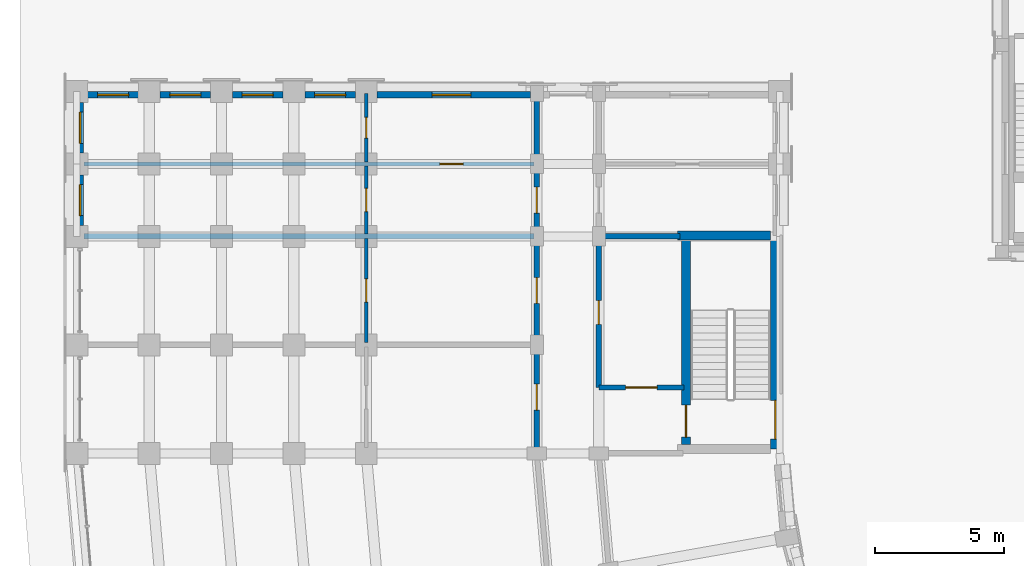
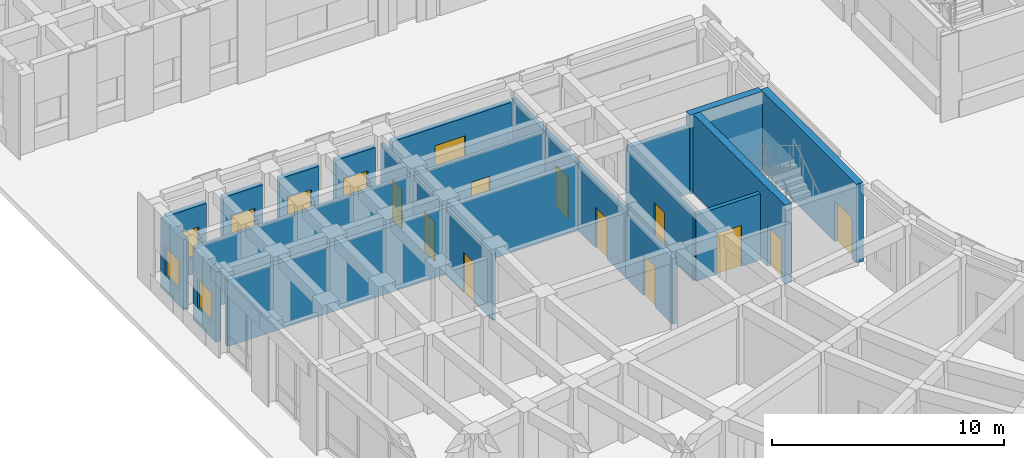
# One storey, part 92 of 135: 22 walls, 11 doors, 7 windows, 18 openings.
"""IFC4 building model written with IfcOpenShell, lengths in metres."""

from ifc_helpers import new_model, si_unit, direction, frame, frame_2d, origin, place, context, subcontext, project, spatial, rectangle, extrude, material, layer, layer_set, type_object, element, fill, save


model = new_model("IFC4")

# Units and contexts
model_context = context("Model", 3, precision=1e-05, world=origin(), true_north=direction((0.0, 1.0)))
body_context = subcontext(model_context, "Body", "Model", "MODEL_VIEW")
ifc_project = project(units=[si_unit("LENGTHUNIT", "METRE"), si_unit("AREAUNIT", "SQUARE_METRE"), si_unit("VOLUMEUNIT", "CUBIC_METRE"), si_unit("PLANEANGLEUNIT", "RADIAN"), si_unit("MASSUNIT", "GRAM", prefix="KILO")], contexts=[model_context])

# Site, building, storey
site_placement = place(None, origin())
site = spatial("IfcSite", under=ifc_project, at=site_placement, CompositionType="ELEMENT")
building_placement = place(site_placement, origin())
building = spatial("IfcBuilding", under=site, at=building_placement, Name="Kiranvali Square Residences", CompositionType="ELEMENT")
storey_placement = place(building_placement, origin())
storey = spatial("IfcBuildingStorey", under=building, at=storey_placement, Name="L00", CompositionType="ELEMENT", Elevation=0.0)

# Wall, opening, door
ifc_material_1 = material(Name="Autoclaved aerated concrete blockwork masonry", Category="masonry")
ifc_layer_1 = layer(ifc_material_1, 0.199951171875)
ifc_layer_set_1 = layer_set([ifc_layer_1], Name="Autoclaved aerated concrete blockwork masonry")
wall_type_1 = type_object("IfcWallType", Name="WL-COR-200", PredefinedType="STANDARD", material=ifc_layer_set_1)
wall_1_placement = place(storey_placement, frame((25.699951171875, 50.75, 0.0), z_axis=(0.0, 0.0, 1.0), x_axis=(-1.0, 0.0, 0.0)))
wall_1 = element("IfcWall", 1, at=wall_1_placement, inside=storey, type_object=wall_type_1, Name="L00 architectural wall WL-L00-C-S3-V", PredefinedType="STANDARD", context=body_context, shape_type="SweptSolid", body=[
    extrude(rectangle(XDim=3.300048828125, YDim=0.199951171875, at=frame_2d((1.64990234375, 0.0))), origin(), (0.0, 0.0, 1.0), 3.491943359375),
])
opening_1_placement = place(wall_1_placement, frame((1.0400390625, 0.0, 0.0)))
opening_1 = element("IfcOpeningElement", 2, at=opening_1_placement, cuts=wall_1, Name="Opening FD-COR-60", PredefinedType="OPENING", context=body_context, shape_type="SweptSolid", body=[
    extrude(rectangle(XDim=1.219970703125, YDim=2.14990234375, at=frame_2d((0.60986328125, 1.074951171875))), frame((0.0, 0.10986328125, 0.0), z_axis=(0.0, -1.0, 0.0), x_axis=(1.0, 0.0, 0.0)), (0.0, 0.0, 1.0), 0.219970703125),
])
ifc_material_2 = material(Name="Fire-rated acoustic hardwood and mineral-core door assembly", Category="wood")
door_type_1 = type_object("IfcDoorType", Name="DR-FD60-1200", OperationType="NOTDEFINED", PredefinedType="DOOR", material=ifc_material_2)
door_1_placement = place(opening_1_placement, origin())
door_1 = element("IfcDoor", 3, at=door_1_placement, inside=storey, type_object=door_type_1, Name="L00 door DR-L00-1745 (DR-FD60-1200)", OperationType="SINGLE_SWING_LEFT", OverallHeight=2.14990234375, OverallWidth=1.219970703125, PredefinedType="DOOR", context=body_context, shape_type="SweptSolid", body=[
    extrude(rectangle(XDim=1.219970703125, YDim=2.14990234375, at=frame_2d((0.60986328125, 1.074951171875))), frame((0.0, 0.02490234375, 0.0), z_axis=(0.0, -1.0, 0.0), x_axis=(1.0, 0.0, 0.0)), (0.0, 0.0, 1.0), 0.050048828125),
])
fill(opening_1, door_1)

wall_2_placement = place(storey_placement, frame((22.39990234375, 50.75, 0.0), z_axis=(0.0, 0.0, 1.0), x_axis=(0.0, 1.0, 0.0)))
wall_2 = element("IfcWall", 4, at=wall_2_placement, inside=storey, type_object=wall_type_1, Name="L00 architectural wall WL-L00-C-S3-COR", PredefinedType="STANDARD", context=body_context, shape_type="SweptSolid", body=[
    extrude(rectangle(XDim=5.800048828125, YDim=0.199951171875, at=frame_2d((2.89990234375, 0.0))), origin(), (0.0, 0.0, 1.0), 3.491943359375),
])
opening_2_placement = place(wall_2_placement, frame((2.43994140625, 0.0, 0.0)))
opening_2 = element("IfcOpeningElement", 5, at=opening_2_placement, cuts=wall_2, Name="Opening FD-SVC-120", PredefinedType="OPENING", context=body_context, shape_type="SweptSolid", body=[
    extrude(rectangle(XDim=0.919921875, YDim=2.10009765625, at=frame_2d((0.4599609375, 1.050048828125))), frame((0.0, 0.10986328125, 0.0), z_axis=(0.0, -1.0, 0.0), x_axis=(1.0, 0.0, 0.0)), (0.0, 0.0, 1.0), 0.219970703125),
])
door_type_2 = type_object("IfcDoorType", Name="DR-SVC-900", OperationType="NOTDEFINED", PredefinedType="DOOR", material=ifc_material_2)
door_2_placement = place(opening_2_placement, frame((0.919921875, 0.0, 0.0), z_axis=(0.0, 0.0, 1.0), x_axis=(-1.0, 0.0, 0.0)))
door_2 = element("IfcDoor", 6, at=door_2_placement, inside=storey, type_object=door_type_2, Name="L00 door DR-L00-1746 (DR-SVC-900)", OperationType="SINGLE_SWING_RIGHT", OverallHeight=2.10009765625, OverallWidth=0.919921875, PredefinedType="DOOR", context=body_context, shape_type="SweptSolid", body=[
    extrude(rectangle(XDim=0.919921875, YDim=2.10009765625, at=frame_2d((0.4599609375, 1.050048828125))), frame((0.0, 0.02490234375, 0.0), z_axis=(0.0, -1.0, 0.0), x_axis=(1.0, 0.0, 0.0)), (0.0, 0.0, 1.0), 0.050048828125),
])
fill(opening_2, door_2)

wall_3_placement = place(storey_placement, frame((20.0, 48.35009765625, 0.0), z_axis=(0.0, 0.0, 1.0), x_axis=(0.0, 1.0, 0.0)))
wall_3 = element("IfcWall", 7, at=wall_3_placement, inside=storey, type_object=wall_type_1, Name="L00 architectural wall WL-L00-C-A2CF-C0", PredefinedType="STANDARD", context=body_context, shape_type="SweptSolid", body=[
    extrude(rectangle(XDim=4.0498046875, YDim=0.199951171875, at=frame_2d((2.02490234375, 0.0))), origin(), (0.0, 0.0, 1.0), 3.491943359375),
])
opening_3_placement = place(wall_3_placement, frame((1.52490234375, 0.0, 0.0)))
opening_3 = element("IfcOpeningElement", 8, at=opening_3_placement, cuts=wall_3, Name="Opening FD-APT-60", PredefinedType="OPENING", context=body_context, shape_type="SweptSolid", body=[
    extrude(rectangle(XDim=1.0, YDim=2.14990234375, at=frame_2d((0.5, 1.074951171875))), frame((0.0, 0.10986328125, 0.0), z_axis=(0.0, -1.0, 0.0), x_axis=(1.0, 0.0, 0.0)), (0.0, 0.0, 1.0), 0.219970703125),
])
door_type_3 = type_object("IfcDoorType", Name="DR-APT-1000", OperationType="NOTDEFINED", PredefinedType="DOOR", material=ifc_material_2)
door_3_placement = place(opening_3_placement, origin())
door_3 = element("IfcDoor", 9, at=door_3_placement, inside=storey, type_object=door_type_3, Name="L00 door DR-L00-1777 (DR-APT-1000)", OperationType="SINGLE_SWING_LEFT", OverallHeight=2.14990234375, OverallWidth=1.0, PredefinedType="DOOR", context=body_context, shape_type="SweptSolid", body=[
    extrude(rectangle(XDim=1.0, YDim=2.14990234375, at=frame_2d((0.5, 1.074951171875))), frame((0.0, 0.02490234375, 0.0), z_axis=(0.0, -1.0, 0.0), x_axis=(1.0, 0.0, 0.0)), (0.0, 0.0, 1.0), 0.050048828125),
])
fill(opening_3, door_3)

wall_4_placement = place(storey_placement, frame((20.0, 52.39990234375, 0.0), z_axis=(0.0, 0.0, 1.0), x_axis=(0.0, 1.0, 0.0)))
wall_4 = element("IfcWall", 10, at=wall_4_placement, inside=storey, type_object=wall_type_1, Name="L00 architectural wall WL-L00-C-A2CF-C1", PredefinedType="STANDARD", context=body_context, shape_type="SweptSolid", body=[
    extrude(rectangle(XDim=4.2001953125, YDim=0.199951171875, at=frame_2d((2.10009765625, 0.0))), origin(), (0.0, 0.0, 1.0), 3.491943359375),
])
opening_4_placement = place(wall_4_placement, frame((1.60009765625, 0.0, 0.0)))
opening_4 = element("IfcOpeningElement", 11, at=opening_4_placement, cuts=wall_4, Name="Opening FD-APT-60", PredefinedType="OPENING", context=body_context, shape_type="SweptSolid", body=[
    extrude(rectangle(XDim=1.0, YDim=2.14990234375, at=frame_2d((0.5, 1.074951171875))), frame((0.0, 0.10986328125, 0.0), z_axis=(0.0, -1.0, 0.0), x_axis=(1.0, 0.0, 0.0)), (0.0, 0.0, 1.0), 0.219970703125),
])
door_4_placement = place(opening_4_placement, origin())
door_4 = element("IfcDoor", 12, at=door_4_placement, inside=storey, type_object=door_type_3, Name="L00 door DR-L00-1779 (DR-APT-1000)", OperationType="SINGLE_SWING_LEFT", OverallHeight=2.14990234375, OverallWidth=1.0, PredefinedType="DOOR", context=body_context, shape_type="SweptSolid", body=[
    extrude(rectangle(XDim=1.0, YDim=2.14990234375, at=frame_2d((0.5, 1.074951171875))), frame((0.0, 0.02490234375, 0.0), z_axis=(0.0, -1.0, 0.0), x_axis=(1.0, 0.0, 0.0)), (0.0, 0.0, 1.0), 0.050048828125),
])
fill(opening_4, door_4)

wall_5_placement = place(storey_placement, frame((20.0, 56.60009765625, 0.0), z_axis=(0.0, 0.0, 1.0), x_axis=(0.0, 1.0, 0.0)))
wall_5 = element("IfcWall", 13, at=wall_5_placement, inside=storey, type_object=wall_type_1, Name="L00 architectural wall WL-L00-C-A2CO-0", PredefinedType="STANDARD", context=body_context, shape_type="SweptSolid", body=[
    extrude(rectangle(XDim=2.7998046875, YDim=0.199951171875, at=frame_2d((1.39990234375, 0.0))), origin(), (0.0, 0.0, 1.0), 3.491943359375),
])
opening_5_placement = place(wall_5_placement, frame((0.89990234375, 0.0, 0.0)))
opening_5 = element("IfcOpeningElement", 14, at=opening_5_placement, cuts=wall_5, Name="Opening FD-APT-60", PredefinedType="OPENING", context=body_context, shape_type="SweptSolid", body=[
    extrude(rectangle(XDim=1.0, YDim=2.14990234375, at=frame_2d((0.5, 1.074951171875))), frame((0.0, 0.10986328125, 0.0), z_axis=(0.0, -1.0, 0.0), x_axis=(1.0, 0.0, 0.0)), (0.0, 0.0, 1.0), 0.219970703125),
])
door_5_placement = place(opening_5_placement, origin())
door_5 = element("IfcDoor", 15, at=door_5_placement, inside=storey, type_object=door_type_3, Name="L00 door DR-L00-1783 (DR-APT-1000)", OperationType="SINGLE_SWING_LEFT", OverallHeight=2.14990234375, OverallWidth=1.0, PredefinedType="DOOR", context=body_context, shape_type="SweptSolid", body=[
    extrude(rectangle(XDim=1.0, YDim=2.14990234375, at=frame_2d((0.5, 1.074951171875))), frame((0.0, 0.02490234375, 0.0), z_axis=(0.0, -1.0, 0.0), x_axis=(1.0, 0.0, 0.0)), (0.0, 0.0, 1.0), 0.050048828125),
])
fill(opening_5, door_5)

# Walls
wall_6_placement = place(storey_placement, frame((20.0, 59.39990234375, 0.0), z_axis=(0.0, 0.0, 1.0), x_axis=(0.0, 1.0, 0.0)))
element("IfcWall", 16, at=wall_6_placement, inside=storey, type_object=wall_type_1, Name="L00 architectural wall WL-L00-C-A2CO-1", PredefinedType="STANDARD", context=body_context, shape_type="SweptSolid", body=[
    extrude(rectangle(XDim=2.800048828125, YDim=0.199951171875, at=frame_2d((1.39990234375, 0.0))), origin(), (0.0, 0.0, 1.0), 3.491943359375),
])
ifc_layer_2 = layer(ifc_material_1, 0.219970703125)
ifc_layer_set_2 = layer_set([ifc_layer_2], Name="Autoclaved aerated concrete blockwork masonry")
wall_type_2 = type_object("IfcWallType", Name="WL-DEM-220", PredefinedType="STANDARD", material=ifc_layer_set_2)
wall_7_placement = place(storey_placement, frame((25.550048828125, 56.60009765625, 0.0), z_axis=(0.0, 0.0, 1.0), x_axis=(-1.0, 0.0, 0.0)))
element("IfcWall", 17, at=wall_7_placement, inside=storey, type_object=wall_type_2, Name="L00 architectural wall WL-L00-C-A2TI-0", PredefinedType="STANDARD", context=body_context, shape_type="SweptSolid", body=[
    extrude(rectangle(XDim=3.10009765625, YDim=0.219970703125, at=frame_2d((1.550048828125, 0.0))), origin(), (0.0, 0.0, 1.0), 3.491943359375),
])
wall_8_placement = place(storey_placement, frame((19.89990234375, 56.60009765625, 0.0), z_axis=(0.0, 0.0, 1.0), x_axis=(-1.0, 0.0, 0.0)))
element("IfcWall", 18, at=wall_8_placement, inside=storey, type_object=wall_type_2, Name="L00 architectural wall WL-L00-C-A2TO-0", PredefinedType="STANDARD", context=body_context, shape_type="SweptSolid", body=[
    extrude(rectangle(XDim=17.419921875, YDim=0.219970703125, at=frame_2d((8.7099609375, 0.0))), origin(), (0.0, 0.0, 1.0), 3.491943359375),
])

# Wall, opening, window
ifc_material_3 = material(Name="Breathable lime-rendered clay brick masonry", Category="masonry")
ifc_layer_3 = layer(ifc_material_3, 0.25)
ifc_layer_set_3 = layer_set([ifc_layer_3], Name="Breathable lime-rendered clay brick masonry")
wall_type_3 = type_object("IfcWallType", Name="WL-EXT-250", PredefinedType="STANDARD", material=ifc_layer_set_3)
wall_9_placement = place(storey_placement, frame((2.324951171875, 57.02001953125, 0.0), z_axis=(0.0, 0.0, 1.0), x_axis=(0.0, 1.0, 0.0)))
wall_9 = element("IfcWall", 19, at=wall_9_placement, inside=storey, type_object=wall_type_3, Name="L00 exterior wall C-L00-A2O-2", PredefinedType="STANDARD", context=body_context, shape_type="SweptSolid", body=[
    extrude(rectangle(XDim=1.9599609375, YDim=0.25, at=frame_2d((0.97998046875, 0.0))), origin(), (0.0, 0.0, 1.0), 3.69189453125),
])
opening_6_placement = place(wall_9_placement, frame((0.3798828125, 0.0, 0.8798828125)))
opening_6 = element("IfcOpeningElement", 20, at=opening_6_placement, cuts=wall_9, Name="Opening W-06", PredefinedType="OPENING", context=body_context, shape_type="SweptSolid", body=[
    extrude(rectangle(XDim=1.199951171875, YDim=1.5, at=frame_2d((0.60009765625, 0.75))), frame((0.0, 0.135009765625, 0.0), z_axis=(0.0, -1.0, 0.0), x_axis=(1.0, 0.0, 0.0)), (0.0, 0.0, 1.0), 0.27001953125),
])
ifc_material_4 = material(Name="Solar-control low-e double glazing", Category="glass")
window_type_1 = type_object("IfcWindowType", Name="WIN-RES-1200x1500", PartitioningType="SINGLE_PANEL", PredefinedType="WINDOW", material=ifc_material_4)
window_1_placement = place(opening_6_placement, origin())
window_1 = element("IfcWindow", 21, at=window_1_placement, inside=storey, type_object=window_type_1, Name="L00 recessed window C-L00-A2O-2", OverallHeight=1.5, OverallWidth=1.199951171875, PartitioningType="SINGLE_PANEL", PredefinedType="WINDOW", context=body_context, shape_type="SweptSolid", body=[
    extrude(rectangle(XDim=1.199951171875, YDim=1.5, at=frame_2d((0.60009765625, 0.75))), frame((0.0, 0.030029296875, 0.0), z_axis=(0.0, -1.0, 0.0), x_axis=(1.0, 0.0, 0.0)), (0.0, 0.0, 1.0), 0.06005859375),
])
fill(opening_6, window_1)

wall_10_placement = place(storey_placement, frame((2.324951171875, 59.820068359375, 0.0), z_axis=(0.0, 0.0, 1.0), x_axis=(0.0, 1.0, 0.0)))
wall_10 = element("IfcWall", 22, at=wall_10_placement, inside=storey, type_object=wall_type_3, Name="L00 exterior wall C-L00-A2O-3", PredefinedType="STANDARD", context=body_context, shape_type="SweptSolid", body=[
    extrude(rectangle(XDim=1.9599609375, YDim=0.25, at=frame_2d((0.97998046875, 0.0))), origin(), (0.0, 0.0, 1.0), 3.69189453125),
])
opening_7_placement = place(wall_10_placement, frame((0.3798828125, 0.0, 0.8798828125)))
opening_7 = element("IfcOpeningElement", 23, at=opening_7_placement, cuts=wall_10, Name="Opening W-06", PredefinedType="OPENING", context=body_context, shape_type="SweptSolid", body=[
    extrude(rectangle(XDim=1.199951171875, YDim=1.5, at=frame_2d((0.60009765625, 0.75))), frame((0.0, 0.135009765625, 0.0), z_axis=(0.0, -1.0, 0.0), x_axis=(1.0, 0.0, 0.0)), (0.0, 0.0, 1.0), 0.27001953125),
])
window_2_placement = place(opening_7_placement, origin())
window_2 = element("IfcWindow", 24, at=window_2_placement, inside=storey, type_object=window_type_1, Name="L00 recessed window C-L00-A2O-3", OverallHeight=1.5, OverallWidth=1.199951171875, PartitioningType="SINGLE_PANEL", PredefinedType="WINDOW", context=body_context, shape_type="SweptSolid", body=[
    extrude(rectangle(XDim=1.199951171875, YDim=1.5, at=frame_2d((0.60009765625, 0.75))), frame((0.0, 0.030029296875, 0.0), z_axis=(0.0, -1.0, 0.0), x_axis=(1.0, 0.0, 0.0)), (0.0, 0.0, 1.0), 0.06005859375),
])
fill(opening_7, window_2)

wall_11_placement = place(storey_placement, frame((19.74658203125, 62.074951171875, 0.0), z_axis=(0.0, 0.0, 1.0), x_axis=(-1.0, 0.0, 0.0)))
wall_11 = element("IfcWall", 25, at=wall_11_placement, inside=storey, type_object=wall_type_3, Name="L00 exterior wall C-L00-A2END-2", PredefinedType="STANDARD", context=body_context, shape_type="SweptSolid", body=[
    extrude(rectangle(XDim=5.926513671875, YDim=0.25, at=frame_2d((2.96337890625, 0.0))), origin(), (0.0, 0.0, 1.0), 3.491943359375),
])
opening_8_placement = place(wall_11_placement, frame((2.29638671875, 0.0, 0.8798828125)))
opening_8 = element("IfcOpeningElement", 26, at=opening_8_placement, cuts=wall_11, Name="Opening W-05", PredefinedType="OPENING", context=body_context, shape_type="SweptSolid", body=[
    extrude(rectangle(XDim=1.5, YDim=1.64990234375, at=frame_2d((0.75, 0.824951171875))), frame((0.0, 0.135009765625, 0.0), z_axis=(0.0, -1.0, 0.0), x_axis=(1.0, 0.0, 0.0)), (0.0, 0.0, 1.0), 0.27001953125),
])
window_type_2 = type_object("IfcWindowType", Name="WIN-RES-1500x1650", PartitioningType="DOUBLE_PANEL_VERTICAL", PredefinedType="WINDOW", material=ifc_material_4)
window_3_placement = place(opening_8_placement, origin())
window_3 = element("IfcWindow", 27, at=window_3_placement, inside=storey, type_object=window_type_2, Name="L00 recessed window C-L00-A2END-2", OverallHeight=1.64990234375, OverallWidth=1.5, PartitioningType="DOUBLE_PANEL_VERTICAL", PredefinedType="WINDOW", context=body_context, shape_type="SweptSolid", body=[
    extrude(rectangle(XDim=1.5, YDim=1.64990234375, at=frame_2d((0.75, 0.824951171875))), frame((0.0, 0.030029296875, 0.0), z_axis=(0.0, -1.0, 0.0), x_axis=(1.0, 0.0, 0.0)), (0.0, 0.0, 1.0), 0.06005859375),
])
fill(opening_8, window_3)

wall_12_placement = place(storey_placement, frame((12.97998046875, 62.074951171875, 0.0), z_axis=(0.0, 0.0, 1.0), x_axis=(-1.0, 0.0, 0.0)))
wall_12 = element("IfcWall", 28, at=wall_12_placement, inside=storey, type_object=wall_type_3, Name="L00 exterior wall C-L00-A2END-3", PredefinedType="STANDARD", context=body_context, shape_type="SweptSolid", body=[
    extrude(rectangle(XDim=1.9599609375, YDim=0.25, at=frame_2d((0.97998046875, 0.0))), origin(), (0.0, 0.0, 1.0), 3.491943359375),
])
opening_9_placement = place(wall_12_placement, frame((0.3798828125, 0.0, 0.8798828125)))
opening_9 = element("IfcOpeningElement", 29, at=opening_9_placement, cuts=wall_12, Name="Opening W-06", PredefinedType="OPENING", context=body_context, shape_type="SweptSolid", body=[
    extrude(rectangle(XDim=1.199951171875, YDim=1.5, at=frame_2d((0.60009765625, 0.75))), frame((0.0, 0.135009765625, 0.0), z_axis=(0.0, -1.0, 0.0), x_axis=(1.0, 0.0, 0.0)), (0.0, 0.0, 1.0), 0.27001953125),
])
window_4_placement = place(opening_9_placement, origin())
window_4 = element("IfcWindow", 30, at=window_4_placement, inside=storey, type_object=window_type_1, Name="L00 recessed window C-L00-A2END-3", OverallHeight=1.5, OverallWidth=1.199951171875, PartitioningType="SINGLE_PANEL", PredefinedType="WINDOW", context=body_context, shape_type="SweptSolid", body=[
    extrude(rectangle(XDim=1.199951171875, YDim=1.5, at=frame_2d((0.60009765625, 0.75))), frame((0.0, 0.030029296875, 0.0), z_axis=(0.0, -1.0, 0.0), x_axis=(1.0, 0.0, 0.0)), (0.0, 0.0, 1.0), 0.06005859375),
])
fill(opening_9, window_4)

wall_13_placement = place(storey_placement, frame((10.179931640625, 62.074951171875, 0.0), z_axis=(0.0, 0.0, 1.0), x_axis=(-1.0, 0.0, 0.0)))
wall_13 = element("IfcWall", 31, at=wall_13_placement, inside=storey, type_object=wall_type_3, Name="L00 exterior wall C-L00-A2END-4", PredefinedType="STANDARD", context=body_context, shape_type="SweptSolid", body=[
    extrude(rectangle(XDim=1.9599609375, YDim=0.25, at=frame_2d((0.97998046875, 0.0))), origin(), (0.0, 0.0, 1.0), 3.491943359375),
])
opening_10_placement = place(wall_13_placement, frame((0.3798828125, 0.0, 0.8798828125)))
opening_10 = element("IfcOpeningElement", 32, at=opening_10_placement, cuts=wall_13, Name="Opening W-06", PredefinedType="OPENING", context=body_context, shape_type="SweptSolid", body=[
    extrude(rectangle(XDim=1.199951171875, YDim=1.5, at=frame_2d((0.60009765625, 0.75))), frame((0.0, 0.135009765625, 0.0), z_axis=(0.0, -1.0, 0.0), x_axis=(1.0, 0.0, 0.0)), (0.0, 0.0, 1.0), 0.27001953125),
])
window_5_placement = place(opening_10_placement, origin())
window_5 = element("IfcWindow", 33, at=window_5_placement, inside=storey, type_object=window_type_1, Name="L00 recessed window C-L00-A2END-4", OverallHeight=1.5, OverallWidth=1.199951171875, PartitioningType="SINGLE_PANEL", PredefinedType="WINDOW", context=body_context, shape_type="SweptSolid", body=[
    extrude(rectangle(XDim=1.199951171875, YDim=1.5, at=frame_2d((0.60009765625, 0.75))), frame((0.0, 0.030029296875, 0.0), z_axis=(0.0, -1.0, 0.0), x_axis=(1.0, 0.0, 0.0)), (0.0, 0.0, 1.0), 0.06005859375),
])
fill(opening_10, window_5)

wall_14_placement = place(storey_placement, frame((7.3798828125, 62.074951171875, 0.0), z_axis=(0.0, 0.0, 1.0), x_axis=(-1.0, 0.0, 0.0)))
wall_14 = element("IfcWall", 34, at=wall_14_placement, inside=storey, type_object=wall_type_3, Name="L00 exterior wall C-L00-A2END-5", PredefinedType="STANDARD", context=body_context, shape_type="SweptSolid", body=[
    extrude(rectangle(XDim=1.9599609375, YDim=0.25, at=frame_2d((0.97998046875, 0.0))), origin(), (0.0, 0.0, 1.0), 3.491943359375),
])
opening_11_placement = place(wall_14_placement, frame((0.3798828125, 0.0, 0.8798828125)))
opening_11 = element("IfcOpeningElement", 35, at=opening_11_placement, cuts=wall_14, Name="Opening W-06", PredefinedType="OPENING", context=body_context, shape_type="SweptSolid", body=[
    extrude(rectangle(XDim=1.199951171875, YDim=1.5, at=frame_2d((0.60009765625, 0.75))), frame((0.0, 0.135009765625, 0.0), z_axis=(0.0, -1.0, 0.0), x_axis=(1.0, 0.0, 0.0)), (0.0, 0.0, 1.0), 0.27001953125),
])
window_6_placement = place(opening_11_placement, origin())
window_6 = element("IfcWindow", 36, at=window_6_placement, inside=storey, type_object=window_type_1, Name="L00 recessed window C-L00-A2END-5", OverallHeight=1.5, OverallWidth=1.199951171875, PartitioningType="SINGLE_PANEL", PredefinedType="WINDOW", context=body_context, shape_type="SweptSolid", body=[
    extrude(rectangle(XDim=1.199951171875, YDim=1.5, at=frame_2d((0.60009765625, 0.75))), frame((0.0, 0.030029296875, 0.0), z_axis=(0.0, -1.0, 0.0), x_axis=(1.0, 0.0, 0.0)), (0.0, 0.0, 1.0), 0.06005859375),
])
fill(opening_11, window_6)

wall_15_placement = place(storey_placement, frame((4.580078125, 62.074951171875, 0.0), z_axis=(0.0, 0.0, 1.0), x_axis=(-1.0, 0.0, 0.0)))
wall_15 = element("IfcWall", 37, at=wall_15_placement, inside=storey, type_object=wall_type_3, Name="L00 exterior wall C-L00-A2END-6", PredefinedType="STANDARD", context=body_context, shape_type="SweptSolid", body=[
    extrude(rectangle(XDim=1.9599609375, YDim=0.25, at=frame_2d((0.97998046875, 0.0))), origin(), (0.0, 0.0, 1.0), 3.491943359375),
])
opening_12_placement = place(wall_15_placement, frame((0.3798828125, 0.0, 0.8798828125)))
opening_12 = element("IfcOpeningElement", 38, at=opening_12_placement, cuts=wall_15, Name="Opening W-06", PredefinedType="OPENING", context=body_context, shape_type="SweptSolid", body=[
    extrude(rectangle(XDim=1.199951171875, YDim=1.5, at=frame_2d((0.60009765625, 0.75))), frame((0.0, 0.135009765625, 0.0), z_axis=(0.0, -1.0, 0.0), x_axis=(1.0, 0.0, 0.0)), (0.0, 0.0, 1.0), 0.27001953125),
])
window_7_placement = place(opening_12_placement, origin())
window_7 = element("IfcWindow", 39, at=window_7_placement, inside=storey, type_object=window_type_1, Name="L00 recessed window C-L00-A2END-6", OverallHeight=1.5, OverallWidth=1.199951171875, PartitioningType="SINGLE_PANEL", PredefinedType="WINDOW", context=body_context, shape_type="SweptSolid", body=[
    extrude(rectangle(XDim=1.199951171875, YDim=1.5, at=frame_2d((0.60009765625, 0.75))), frame((0.0, 0.030029296875, 0.0), z_axis=(0.0, -1.0, 0.0), x_axis=(1.0, 0.0, 0.0)), (0.0, 0.0, 1.0), 0.06005859375),
])
fill(opening_12, window_7)

# Wall, opening, door
ifc_material_5 = material(Name="Acoustic gypsum board drylined partition", Category="gypsum")
ifc_layer_4 = layer(ifc_material_5, 0.14990234375)
ifc_layer_set_4 = layer_set([ifc_layer_4], Name="Acoustic gypsum board drylined partition")
wall_type_4 = type_object("IfcWallType", Name="WL-PRT-150", PredefinedType="PARTITIONING", material=ifc_layer_set_4)
wall_16_placement = place(storey_placement, frame((13.39990234375, 52.47998046875, 0.0), z_axis=(0.0, 0.0, 1.0), x_axis=(0.0, 1.0, 0.0)))
wall_16 = element("IfcWall", 40, at=wall_16_placement, inside=storey, type_object=wall_type_4, Name="L00 architectural wall WL-L00-C-A2CF-SP1", PredefinedType="PARTITIONING", context=body_context, shape_type="SweptSolid", body=[
    extrude(rectangle(XDim=4.0400390625, YDim=0.14990234375, at=frame_2d((2.02001953125, 0.0))), origin(), (0.0, 0.0, 1.0), 3.491943359375),
])
opening_13_placement = place(wall_16_placement, frame((1.570068359375, 0.0, 0.0)))
opening_13 = element("IfcOpeningElement", 41, at=opening_13_placement, cuts=wall_16, Name="Opening ID-1", PredefinedType="OPENING", context=body_context, shape_type="SweptSolid", body=[
    extrude(rectangle(XDim=0.89990234375, YDim=2.10009765625, at=frame_2d((0.449951171875, 1.050048828125))), frame((0.0, 0.0849609375, 0.0), z_axis=(0.0, -1.0, 0.0), x_axis=(1.0, 0.0, 0.0)), (0.0, 0.0, 1.0), 0.169921875),
])
ifc_material_6 = material(Name="Solid seasoned teak hardwood joinery", Category="wood")
door_type_4 = type_object("IfcDoorType", Name="DR-INT-900", OperationType="NOTDEFINED", PredefinedType="DOOR", material=ifc_material_6)
door_6_placement = place(opening_13_placement, frame((0.89990234375, 0.0, 0.0), z_axis=(0.0, 0.0, 1.0), x_axis=(-1.0, 0.0, 0.0)))
door_6 = element("IfcDoor", 42, at=door_6_placement, inside=storey, type_object=door_type_4, Name="L00 door DR-L00-1780 (DR-INT-900)", OperationType="SINGLE_SWING_RIGHT", OverallHeight=2.10009765625, OverallWidth=0.89990234375, PredefinedType="DOOR", context=body_context, shape_type="SweptSolid", body=[
    extrude(rectangle(XDim=0.89990234375, YDim=2.10009765625, at=frame_2d((0.449951171875, 1.050048828125))), frame((0.0, 0.02490234375, 0.0), z_axis=(0.0, -1.0, 0.0), x_axis=(1.0, 0.0, 0.0)), (0.0, 0.0, 1.0), 0.050048828125),
])
fill(opening_13, door_6)

wall_17_placement = place(storey_placement, frame((19.89990234375, 59.39990234375, 0.0), z_axis=(0.0, 0.0, 1.0), x_axis=(-1.0, 0.0, 0.0)))
wall_17 = element("IfcWall", 43, at=wall_17_placement, inside=storey, type_object=wall_type_4, Name="L00 architectural wall WL-L00-C-A2TO-1", PredefinedType="PARTITIONING", context=body_context, shape_type="SweptSolid", body=[
    extrude(rectangle(XDim=17.419921875, YDim=0.14990234375, at=frame_2d((8.7099609375, 0.0))), origin(), (0.0, 0.0, 1.0), 3.491943359375),
])
opening_14_placement = place(wall_17_placement, frame((2.75, 0.0, 0.0)))
opening_14 = element("IfcOpeningElement", 44, at=opening_14_placement, cuts=wall_17, Name="Opening ID-1", PredefinedType="OPENING", context=body_context, shape_type="SweptSolid", body=[
    extrude(rectangle(XDim=0.89990234375, YDim=2.10009765625, at=frame_2d((0.449951171875, 1.050048828125))), frame((0.0, 0.0849609375, 0.0), z_axis=(0.0, -1.0, 0.0), x_axis=(1.0, 0.0, 0.0)), (0.0, 0.0, 1.0), 0.169921875),
])
door_7_placement = place(opening_14_placement, frame((0.89990234375, 0.0, 0.0), z_axis=(0.0, 0.0, 1.0), x_axis=(-1.0, 0.0, 0.0)))
door_7 = element("IfcDoor", 45, at=door_7_placement, inside=storey, type_object=door_type_4, Name="L00 door DR-L00-1786 (DR-INT-900)", OperationType="SINGLE_SWING_RIGHT", OverallHeight=2.10009765625, OverallWidth=0.89990234375, PredefinedType="DOOR", context=body_context, shape_type="SweptSolid", body=[
    extrude(rectangle(XDim=0.89990234375, YDim=2.10009765625, at=frame_2d((0.449951171875, 1.050048828125))), frame((0.0, 0.02490234375, 0.0), z_axis=(0.0, -1.0, 0.0), x_axis=(1.0, 0.0, 0.0)), (0.0, 0.0, 1.0), 0.050048828125),
])
fill(opening_14, door_7)

ifc_material_7 = material(Name="Concrete M50 (50 MPa)", Category="concrete")
ifc_layer_5 = layer(ifc_material_7, 0.35009765625)
ifc_layer_set_5 = layer_set([ifc_layer_5], Name="Concrete M50 (50 MPa)")
wall_type_5 = type_object("IfcWallType", Name="WL-SHR-350", PredefinedType="SHEAR", material=ifc_layer_set_5)
wall_18_placement = place(storey_placement, frame((29.22509765625, 48.375, 0.0), z_axis=(0.0, 0.0, 1.0), x_axis=(0.0, 1.0, 0.0)))
wall_18 = element("IfcWall", 46, at=wall_18_placement, inside=storey, type_object=wall_type_5, Name="Block C core shear wall SW-C3-OUT-L00", PredefinedType="SHEAR", context=body_context, shape_type="SweptSolid", body=[
    extrude(rectangle(XDim=8.25, YDim=0.35009765625, at=frame_2d((4.125, 0.0))), origin(), (0.0, 0.0, 1.0), 4.14990234375),
])
opening_15_placement = place(wall_18_placement, frame((0.375, 0.0, 0.0)))
opening_15 = element("IfcOpeningElement", 47, at=opening_15_placement, cuts=wall_18, Name="Opening ED-EX-150", PredefinedType="OPENING", context=body_context, shape_type="SweptSolid", body=[
    extrude(rectangle(XDim=1.5, YDim=2.14990234375, at=frame_2d((0.75, 1.074951171875))), frame((0.0, 0.18505859375, 0.0), z_axis=(0.0, -1.0, 0.0), x_axis=(1.0, 0.0, 0.0)), (0.0, 0.0, 1.0), 0.3701171875),
])
door_type_5 = type_object("IfcDoorType", Name="DR-EXIT-1500", OperationType="NOTDEFINED", PredefinedType="DOOR", material=ifc_material_2)
door_8_placement = place(opening_15_placement, frame((1.5, 0.0, 0.0), z_axis=(0.0, 0.0, 1.0), x_axis=(-1.0, 0.0, 0.0)))
door_8 = element("IfcDoor", 48, at=door_8_placement, inside=storey, type_object=door_type_5, Name="L00 door DR-L00-1741 (DR-EXIT-1500)", OperationType="SINGLE_SWING_LEFT", OverallHeight=2.14990234375, OverallWidth=1.5, PredefinedType="DOOR", context=body_context, shape_type="SweptSolid", body=[
    extrude(rectangle(XDim=1.5, YDim=2.14990234375, at=frame_2d((0.75, 1.074951171875))), frame((0.0, 0.02490234375, 0.0), z_axis=(0.0, -1.0, 0.0), x_axis=(1.0, 0.0, 0.0)), (0.0, 0.0, 1.0), 0.050048828125),
])
fill(opening_15, door_8)

wall_19_placement = place(storey_placement, frame((25.77490234375, 48.550048828125, 0.0), z_axis=(0.0, 0.0, 1.0), x_axis=(0.0, 1.0, 0.0)))
wall_19 = element("IfcWall", 49, at=wall_19_placement, inside=storey, type_object=wall_type_5, Name="Block C core shear wall SW-C3-IN-L00", PredefinedType="SHEAR", context=body_context, shape_type="SweptSolid", body=[
    extrude(rectangle(XDim=7.89990234375, YDim=0.35009765625, at=frame_2d((3.949951171875, 0.0))), origin(), (0.0, 0.0, 1.0), 4.14990234375),
])
opening_16_placement = place(wall_19_placement, frame((0.280029296875, 0.0, 0.0)))
opening_16 = element("IfcOpeningElement", 50, at=opening_16_placement, cuts=wall_19, Name="Opening FD-ST-120", PredefinedType="OPENING", context=body_context, shape_type="SweptSolid", body=[
    extrude(rectangle(XDim=1.239990234375, YDim=2.14990234375, at=frame_2d((0.6201171875, 1.074951171875))), frame((0.0, 0.18505859375, 0.0), z_axis=(0.0, -1.0, 0.0), x_axis=(1.0, 0.0, 0.0)), (0.0, 0.0, 1.0), 0.3701171875),
])
door_type_6 = type_object("IfcDoorType", Name="DR-FD120-1200", OperationType="NOTDEFINED", PredefinedType="DOOR", material=ifc_material_2)
door_9_placement = place(opening_16_placement, origin())
door_9 = element("IfcDoor", 51, at=door_9_placement, inside=storey, type_object=door_type_6, Name="L00 door DR-L00-1739 (DR-FD120-1200)", OperationType="SINGLE_SWING_LEFT", OverallHeight=2.14990234375, OverallWidth=1.239990234375, PredefinedType="DOOR", context=body_context, shape_type="SweptSolid", body=[
    extrude(rectangle(XDim=1.239990234375, YDim=2.14990234375, at=frame_2d((0.6201171875, 1.074951171875))), frame((0.0, 0.02490234375, 0.0), z_axis=(0.0, -1.0, 0.0), x_axis=(1.0, 0.0, 0.0)), (0.0, 0.0, 1.0), 0.050048828125),
])
fill(opening_16, door_9)

# Wall
wall_20_placement = place(storey_placement, frame((29.050048828125, 56.625, 0.0), z_axis=(0.0, 0.0, 1.0), x_axis=(-1.0, 0.0, 0.0)))
element("IfcWall", 52, at=wall_20_placement, inside=storey, type_object=wall_type_5, Name="Block C core shear wall SW-C3-FAR-L00", PredefinedType="SHEAR", context=body_context, shape_type="SweptSolid", body=[
    extrude(rectangle(XDim=3.60009765625, YDim=0.35009765625, at=frame_2d((1.800048828125, 0.0))), origin(), (0.0, 0.0, 1.0), 4.14990234375),
])

# Wall, opening, door
ifc_layer_6 = layer(ifc_material_1, 0.14990234375)
ifc_layer_set_6 = layer_set([ifc_layer_6], Name="Autoclaved aerated concrete blockwork masonry")
wall_type_6 = type_object("IfcWallType", Name="WL-WET-150", PredefinedType="PLUMBINGWALL", material=ifc_layer_set_6)
wall_21_placement = place(storey_placement, frame((13.39990234375, 56.679931640625, 0.0), z_axis=(0.0, 0.0, 1.0), x_axis=(0.0, 1.0, 0.0)))
wall_21 = element("IfcWall", 53, at=wall_21_placement, inside=storey, type_object=wall_type_6, Name="L00 architectural wall WL-L00-C-A2SP-0", PredefinedType="PLUMBINGWALL", context=body_context, shape_type="SweptSolid", body=[
    extrude(rectangle(XDim=2.64013671875, YDim=0.14990234375, at=frame_2d((1.320068359375, 0.0))), origin(), (0.0, 0.0, 1.0), 3.491943359375),
])
opening_17_placement = place(wall_21_placement, frame((0.8701171875, 0.0, 0.0)))
opening_17 = element("IfcOpeningElement", 54, at=opening_17_placement, cuts=wall_21, Name="Opening ID-1", PredefinedType="OPENING", context=body_context, shape_type="SweptSolid", body=[
    extrude(rectangle(XDim=0.89990234375, YDim=2.10009765625, at=frame_2d((0.449951171875, 1.050048828125))), frame((0.0, 0.0849609375, 0.0), z_axis=(0.0, -1.0, 0.0), x_axis=(1.0, 0.0, 0.0)), (0.0, 0.0, 1.0), 0.169921875),
])
door_10_placement = place(opening_17_placement, frame((0.89990234375, 0.0, 0.0), z_axis=(0.0, 0.0, 1.0), x_axis=(-1.0, 0.0, 0.0)))
door_10 = element("IfcDoor", 55, at=door_10_placement, inside=storey, type_object=door_type_4, Name="L00 door DR-L00-1782 (DR-INT-900)", OperationType="SINGLE_SWING_RIGHT", OverallHeight=2.10009765625, OverallWidth=0.89990234375, PredefinedType="DOOR", context=body_context, shape_type="SweptSolid", body=[
    extrude(rectangle(XDim=0.89990234375, YDim=2.10009765625, at=frame_2d((0.449951171875, 1.050048828125))), frame((0.0, 0.02490234375, 0.0), z_axis=(0.0, -1.0, 0.0), x_axis=(1.0, 0.0, 0.0)), (0.0, 0.0, 1.0), 0.050048828125),
])
fill(opening_17, door_10)

wall_22_placement = place(storey_placement, frame((13.39990234375, 59.47998046875, 0.0), z_axis=(0.0, 0.0, 1.0), x_axis=(0.0, 1.0, 0.0)))
wall_22 = element("IfcWall", 56, at=wall_22_placement, inside=storey, type_object=wall_type_6, Name="L00 architectural wall WL-L00-C-A2SP-1", PredefinedType="PLUMBINGWALL", context=body_context, shape_type="SweptSolid", body=[
    extrude(rectangle(XDim=2.64013671875, YDim=0.14990234375, at=frame_2d((1.320068359375, 0.0))), origin(), (0.0, 0.0, 1.0), 3.491943359375),
])
opening_18_placement = place(wall_22_placement, frame((0.919921875, 0.0, 0.0)))
opening_18 = element("IfcOpeningElement", 57, at=opening_18_placement, cuts=wall_22, Name="Opening ID-WET", PredefinedType="OPENING", context=body_context, shape_type="SweptSolid", body=[
    extrude(rectangle(XDim=0.800048828125, YDim=2.10009765625, at=frame_2d((0.39990234375, 1.050048828125))), frame((0.0, 0.0849609375, 0.0), z_axis=(0.0, -1.0, 0.0), x_axis=(1.0, 0.0, 0.0)), (0.0, 0.0, 1.0), 0.169921875),
])
door_type_7 = type_object("IfcDoorType", Name="DR-WET-800", OperationType="NOTDEFINED", PredefinedType="DOOR", material=ifc_material_6)
door_11_placement = place(opening_18_placement, frame((0.800048828125, 0.0, 0.0), z_axis=(0.0, 0.0, 1.0), x_axis=(-1.0, 0.0, 0.0)))
door_11 = element("IfcDoor", 58, at=door_11_placement, inside=storey, type_object=door_type_7, Name="L00 door DR-L00-1784 (DR-WET-800)", OperationType="SINGLE_SWING_RIGHT", OverallHeight=2.10009765625, OverallWidth=0.800048828125, PredefinedType="DOOR", context=body_context, shape_type="SweptSolid", body=[
    extrude(rectangle(XDim=0.800048828125, YDim=2.10009765625, at=frame_2d((0.39990234375, 1.050048828125))), frame((0.0, 0.02490234375, 0.0), z_axis=(0.0, -1.0, 0.0), x_axis=(1.0, 0.0, 0.0)), (0.0, 0.0, 1.0), 0.050048828125),
])
fill(opening_18, door_11)

save(model, "model.ifc")
